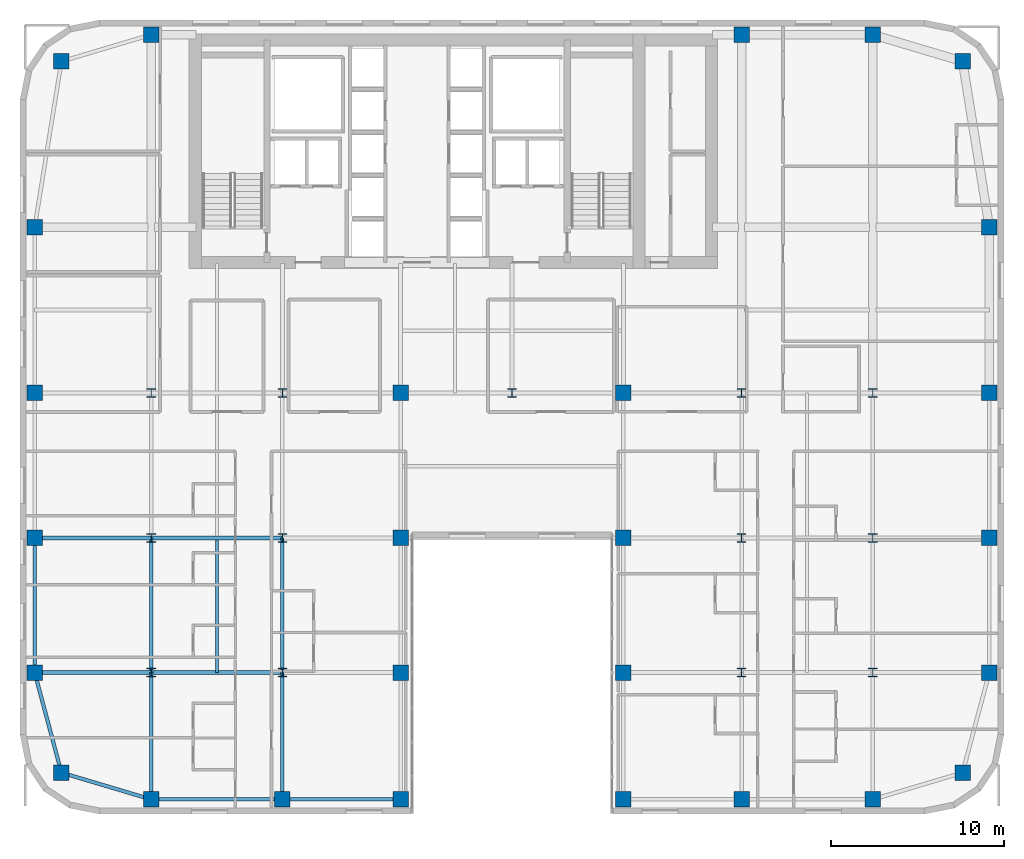
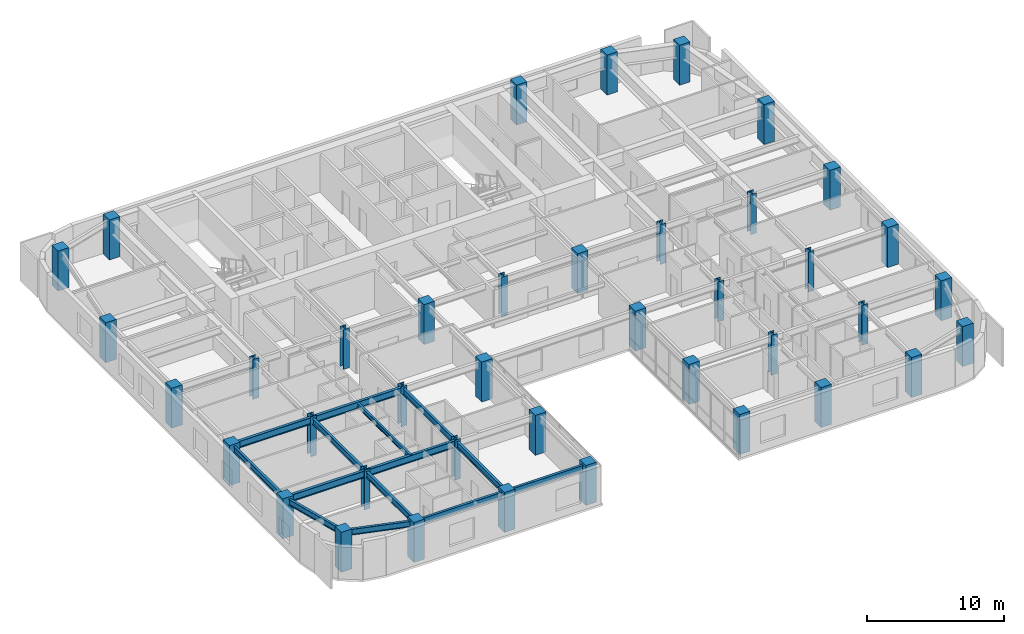
# One storey, part 1 of 17: 40 columns, 14 beams.
"""IFC4 building model written with IfcOpenShell, lengths in metres."""

from ifc_helpers import new_model, si_unit, direction, frame, origin, origin_2d, place, context, subcontext, project, spatial, rectangle, i_section, extrude, source, transform, mapped, material, material_profile, profile_set, type_object, type_shapes, element, save


model = new_model("IFC4")

# Units and contexts
model_context = context("Model", 3, precision=1e-05, world=origin(), true_north=direction((0.0, 1.0)))
body_context = subcontext(model_context, "Body", "Model", "MODEL_VIEW")
ifc_project = project(units=[si_unit("LENGTHUNIT", "METRE"), si_unit("AREAUNIT", "SQUARE_METRE"), si_unit("VOLUMEUNIT", "CUBIC_METRE"), si_unit("PLANEANGLEUNIT", "RADIAN"), si_unit("MASSUNIT", "GRAM", prefix="KILO")], contexts=[model_context])

# Site, building, storey
site_placement = place(None, origin())
site = spatial("IfcSite", under=ifc_project, at=site_placement, CompositionType="ELEMENT")
building_placement = place(site_placement, origin())
building = spatial("IfcBuilding", under=site, at=building_placement, Name="Tolvann Quenvar Hotel", CompositionType="ELEMENT")
storey_placement = place(building_placement, frame((0.0, 0.0, 108.0)))
storey = spatial("IfcBuildingStorey", under=building, at=storey_placement, Name="L27", CompositionType="ELEMENT", Elevation=108.0)

# Columns
ifc_material_1 = material(Name="Concrete S65 (65 MPa)", Category="concrete")
ifc_material_profile_1 = material_profile(ifc_material_1, rectangle(XDim=0.89990234375, YDim=0.89990234375, at=origin_2d()), Name="RC900x900")
ifc_profile_set_1 = profile_set([ifc_material_profile_1], Name="Concrete S65 (65 MPa)")
column_type_1 = type_object("IfcColumnType", Name="COL_RC900", PredefinedType="COLUMN", material=ifc_profile_set_1)
shared_shape_1 = source(origin(), body_context, "Body", "SweptSolid", [
    extrude(rectangle(XDim=0.89990234375, YDim=0.89990234375, at=origin_2d()), origin(), (0.0, 0.0, 1.0), 3.550048828125),
])
type_shapes(column_type_1, [shared_shape_1])
for number, where, z_axis, x_axis, name in (
    (1, (2.39990234375, 2.39990234375, 0.0), (0.0, 0.0, 1.0), (1.0, 0.0, 0.0), "Column B2 (L27)"),
    (2, (0.85009765625, 8.199951171875, 0.0), (0.0, 0.0, 1.0), (1.0, 0.0, 0.0), "Column B3 (L27)"),
    (3, (0.85009765625, 16.0, 0.0), (0.0, 0.0, 1.0), (1.0, 0.0, 0.0), "Column B4 (L27)"),
    (4, (0.85009765625, 24.39990234375, 0.0), (0.0, 0.0, 1.0), (1.0, 0.0, 0.0), "Column B5 (L27)"),
    (5, (7.60009765625, 0.85009765625, 0.0), (0.0, 0.0, 1.0), (1.0, 0.0, 0.0), "Column C2 (L27)"),
    (6, (15.199951171875, 0.85009765625, 0.0), (0.0, 0.0, 1.0), (1.0, 0.0, 0.0), "Column D2 (L27)"),
    (7, (22.050048828125, 0.85009765625, 0.0), (0.0, 0.0, 1.0), (1.0, 0.0, 0.0), "Column E2 (L27)"),
    (8, (22.050048828125, 8.199951171875, 0.0), (0.0, 0.0, 1.0), (1.0, 0.0, 0.0), "Column E3 (L27)"),
    (9, (22.050048828125, 16.0, 0.0), (0.0, 0.0, 1.0), (1.0, 0.0, 0.0), "Column E4 (L27)"),
    (10, (22.050048828125, 24.39990234375, 0.0), (0.0, 0.0, 1.0), (1.0, 0.0, 0.0), "Column E5 (L27)"),
    (11, (34.949951171875, 0.85009765625, 0.0), (0.0, 0.0, 1.0), (1.0, 0.0, 0.0), "Column F2 (L27)"),
    (12, (34.949951171875, 8.199951171875, 0.0), (0.0, 0.0, 1.0), (1.0, 0.0, 0.0), "Column F3 (L27)"),
    (13, (34.949951171875, 16.0, 0.0), (0.0, 0.0, 1.0), (1.0, 0.0, 0.0), "Column F4 (L27)"),
    (14, (34.949951171875, 24.39990234375, 0.0), (0.0, 0.0, 1.0), (1.0, 0.0, 0.0), "Column F5 (L27)"),
    (15, (41.800048828125, 0.85009765625, 0.0), (0.0, 0.0, 1.0), (1.0, 0.0, 0.0), "Column H2 (L27)"),
    (16, (49.39990234375, 0.85009765625, 0.0), (0.0, 0.0, 1.0), (1.0, 0.0, 0.0), "Column I2 (L27)"),
    (17, (54.60009765625, 2.39990234375, 0.0), (0.0, 0.0, 1.0), (1.0, 0.0, 0.0), "Column J2 (L27)"),
    (18, (56.14990234375, 8.199951171875, 0.0), (0.0, 0.0, 1.0), (1.0, 0.0, 0.0), "Column J3 (L27)"),
    (19, (56.14990234375, 16.0, 0.0), (0.0, 0.0, 1.0), (1.0, 0.0, 0.0), "Column J4 (L27)"),
    (20, (56.14990234375, 24.39990234375, 0.0), (0.0, 0.0, 1.0), (1.0, 0.0, 0.0), "Column J5 (L27)"),
    (21, (2.39990234375, 43.60009765625, 0.0), (0.0, 0.0, 1.0), (1.0, 0.0, 0.0), "Column BN (L27)"),
    (22, (7.60009765625, 45.14990234375, 0.0), (0.0, 0.0, 1.0), (1.0, 0.0, 0.0), "Column CN (L27)"),
    (23, (0.85009765625, 34.0, 0.0), (0.0, 0.0, 1.0), (1.0, 0.0, 0.0), "Column BD6 (L27)"),
    (24, (41.800048828125, 45.14990234375, 0.0), (0.0, 0.0, 1.0), (1.0, 0.0, 0.0), "Column HN (L27)"),
    (25, (49.39990234375, 45.14990234375, 0.0), (0.0, 0.0, 1.0), (1.0, 0.0, 0.0), "Column IN (L27)"),
    (26, (54.60009765625, 43.60009765625, 0.0), (0.0, 0.0, 1.0), (1.0, 0.0, 0.0), "Column JN (L27)"),
    (27, (56.14990234375, 34.0, 0.0), (0.0, 0.0, 1.0), (1.0, 0.0, 0.0), "Column JD6 (L27)"),
):
    element("IfcColumn", number, at=place(storey_placement, frame(where, z_axis=z_axis, x_axis=x_axis)), inside=storey, type_object=column_type_1, Name=name, PredefinedType="COLUMN", context=body_context, shape_type="MappedRepresentation", body=[
        mapped(shared_shape_1, transform((0.0, 0.0, 0.0), x_axis=(1.0, 0.0, 0.0), y_axis=(0.0, 1.0, 0.0), z_axis=(0.0, 0.0, 1.0), scale=1.0)),
    ])
ifc_material_2 = material(Name="Steel Grade 350", Category="steel")
ifc_material_profile_2 = material_profile(ifc_material_2, i_section(OverallWidth=0.5, OverallDepth=0.5, WebThickness=0.02197265625, FlangeThickness=0.033935546875, at=origin_2d()), Name="500WC340")
ifc_profile_set_2 = profile_set([ifc_material_profile_2], Name="Steel Grade 350")
column_type_2 = type_object("IfcColumnType", Name="COL_500WC340", PredefinedType="COLUMN", material=ifc_profile_set_2)
shared_shape_2 = source(origin(), body_context, "Body", "SweptSolid", [
    extrude(i_section(OverallWidth=0.5, OverallDepth=0.5, WebThickness=0.02197265625, FlangeThickness=0.033935546875, at=origin_2d()), origin(), (0.0, 0.0, 1.0), 3.550048828125),
])
type_shapes(column_type_2, [shared_shape_2])
for number, where, z_axis, x_axis, name in (
    (28, (7.60009765625, 8.199951171875, 0.0), (0.0, 0.0, 1.0), (1.0, 0.0, 0.0), "Column C3 (L27)"),
    (29, (7.60009765625, 16.0, 0.0), (0.0, 0.0, 1.0), (1.0, 0.0, 0.0), "Column C4 (L27)"),
    (30, (7.60009765625, 24.39990234375, 0.0), (0.0, 0.0, 1.0), (1.0, 0.0, 0.0), "Column C5 (L27)"),
    (31, (15.199951171875, 8.199951171875, 0.0), (0.0, 0.0, 1.0), (1.0, 0.0, 0.0), "Column D3 (L27)"),
    (32, (15.199951171875, 16.0, 0.0), (0.0, 0.0, 1.0), (1.0, 0.0, 0.0), "Column D4 (L27)"),
    (33, (15.199951171875, 24.39990234375, 0.0), (0.0, 0.0, 1.0), (1.0, 0.0, 0.0), "Column D5 (L27)"),
    (34, (41.800048828125, 8.199951171875, 0.0), (0.0, 0.0, 1.0), (1.0, 0.0, 0.0), "Column H3 (L27)"),
    (35, (41.800048828125, 16.0, 0.0), (0.0, 0.0, 1.0), (1.0, 0.0, 0.0), "Column H4 (L27)"),
    (36, (41.800048828125, 24.39990234375, 0.0), (0.0, 0.0, 1.0), (1.0, 0.0, 0.0), "Column H5 (L27)"),
    (37, (49.39990234375, 8.199951171875, 0.0), (0.0, 0.0, 1.0), (1.0, 0.0, 0.0), "Column I3 (L27)"),
    (38, (49.39990234375, 16.0, 0.0), (0.0, 0.0, 1.0), (1.0, 0.0, 0.0), "Column I4 (L27)"),
    (39, (49.39990234375, 24.39990234375, 0.0), (0.0, 0.0, 1.0), (1.0, 0.0, 0.0), "Column I5 (L27)"),
    (40, (28.5, 24.39990234375, 0.0), (0.0, 0.0, 1.0), (1.0, 0.0, 0.0), "Column M5 (L27)"),
):
    element("IfcColumn", number, at=place(storey_placement, frame(where, z_axis=z_axis, x_axis=x_axis)), inside=storey, type_object=column_type_2, Name=name, PredefinedType="COLUMN", context=body_context, shape_type="MappedRepresentation", body=[
        mapped(shared_shape_2, transform((0.0, 0.0, 0.0), x_axis=(1.0, 0.0, 0.0), y_axis=(0.0, 1.0, 0.0), z_axis=(0.0, 0.0, 1.0), scale=1.0)),
    ])

# Beams
ifc_material_profile_3 = material_profile(ifc_material_2, i_section(OverallWidth=0.208984375, OverallDepth=0.528076171875, WebThickness=0.009521484375, FlangeThickness=0.01318359375, FilletRadius=0.013916015625, at=origin_2d()), Name="530UB82")
ifc_profile_set_3 = profile_set([ifc_material_profile_3], Name="Steel Grade 350")
beam_type_1 = type_object("IfcBeamType", Name="BM_SPAND_530UB82", PredefinedType="SPANDREL", material=ifc_profile_set_3)
shared_shape_3 = source(origin(), body_context, "Body", "SweptSolid", [
    extrude(i_section(OverallWidth=0.208984375, OverallDepth=0.528076171875, WebThickness=0.009521484375, FlangeThickness=0.01318359375, FilletRadius=0.013916015625, at=origin_2d()), origin(), (0.0, 0.0, 1.0), 5.42626953125),
])
beam_1_placement = place(storey_placement, frame((2.39990234375, 2.39990234375, 3.10595703125), z_axis=(0.958344815522, -0.285613750654, 0.0), x_axis=(0.285613750654, 0.958344815522, 0.0)))
element("IfcBeam", 41, at=beam_1_placement, inside=storey, type_object=beam_type_1, Name="BM-L27-EW-2-B2-C2", PredefinedType="SPANDREL", context=body_context, shape_type="MappedRepresentation", body=[
    mapped(shared_shape_3, transform((0.0, 0.0, 0.0), x_axis=(1.0, 0.0, 0.0), y_axis=(0.0, 1.0, 0.0), z_axis=(0.0, 0.0, 1.0), scale=1.0)),
])
shared_shape_4 = source(origin(), body_context, "Body", "SweptSolid", [
    extrude(i_section(OverallWidth=0.208984375, OverallDepth=0.528076171875, WebThickness=0.009521484375, FlangeThickness=0.01318359375, FilletRadius=0.013916015625, at=origin_2d()), origin(), (0.0, 0.0, 1.0), 7.599853515625),
])
beam_2_placement = place(storey_placement, frame((7.60009765625, 0.85009765625, 3.10595703125), z_axis=(1.0, 0.0, 0.0), x_axis=(0.0, 1.0, 0.0)))
element("IfcBeam", 42, at=beam_2_placement, inside=storey, type_object=beam_type_1, Name="BM-L27-EW-2-C2-D2", PredefinedType="SPANDREL", context=body_context, shape_type="MappedRepresentation", body=[
    mapped(shared_shape_4, transform((0.0, 0.0, 0.0), x_axis=(1.0, 0.0, 0.0), y_axis=(0.0, 1.0, 0.0), z_axis=(0.0, 0.0, 1.0), scale=1.0)),
])
shared_shape_5 = source(origin(), body_context, "Body", "SweptSolid", [
    extrude(i_section(OverallWidth=0.208984375, OverallDepth=0.528076171875, WebThickness=0.009521484375, FlangeThickness=0.01318359375, FilletRadius=0.013916015625, at=origin_2d()), origin(), (0.0, 0.0, 1.0), 6.85009765625),
])
beam_3_placement = place(storey_placement, frame((15.199951171875, 0.85009765625, 3.10595703125), z_axis=(1.0, 0.0, 0.0), x_axis=(0.0, 1.0, 0.0)))
element("IfcBeam", 43, at=beam_3_placement, inside=storey, type_object=beam_type_1, Name="BM-L27-EW-2-D2-E2", PredefinedType="SPANDREL", context=body_context, shape_type="MappedRepresentation", body=[
    mapped(shared_shape_5, transform((0.0, 0.0, 0.0), x_axis=(1.0, 0.0, 0.0), y_axis=(0.0, 1.0, 0.0), z_axis=(0.0, 0.0, 1.0), scale=1.0)),
])
ifc_material_profile_4 = material_profile(ifc_material_2, i_section(OverallWidth=0.22900390625, OverallDepth=0.612060546875, WebThickness=0.011962890625, FlangeThickness=0.01953125, FilletRadius=0.013916015625, at=origin_2d()), Name="610UB125")
ifc_profile_set_4 = profile_set([ifc_material_profile_4], Name="Steel Grade 350")
beam_type_2 = type_object("IfcBeamType", Name="BM_GIRD_610UB125", PredefinedType="BEAM", material=ifc_profile_set_4)
shared_shape_6 = source(origin(), body_context, "Body", "SweptSolid", [
    extrude(i_section(OverallWidth=0.22900390625, OverallDepth=0.612060546875, WebThickness=0.011962890625, FlangeThickness=0.01953125, FilletRadius=0.013916015625, at=origin_2d()), origin(), (0.0, 0.0, 1.0), 6.75),
])
for number, where, z_axis, x_axis, name in (
    (44, (0.85009765625, 8.199951171875, 3.06396484375), (1.0, 0.0, 0.0), (0.0, 1.0, 0.0), "BM-L27-EW-3-B3-C3"),
    (45, (0.85009765625, 16.0, 3.06396484375), (1.0, 0.0, 0.0), (0.0, 1.0, 0.0), "BM-L27-EW-4-B4-C4"),
):
    element("IfcBeam", number, at=place(storey_placement, frame(where, z_axis=z_axis, x_axis=x_axis)), inside=storey, type_object=beam_type_2, Name=name, PredefinedType="BEAM", context=body_context, shape_type="MappedRepresentation", body=[
        mapped(shared_shape_6, transform((0.0, 0.0, 0.0), x_axis=(1.0, 0.0, 0.0), y_axis=(0.0, 1.0, 0.0), z_axis=(0.0, 0.0, 1.0), scale=1.0)),
    ])
shared_shape_7 = source(origin(), body_context, "Body", "SweptSolid", [
    extrude(i_section(OverallWidth=0.22900390625, OverallDepth=0.612060546875, WebThickness=0.011962890625, FlangeThickness=0.01953125, FilletRadius=0.013916015625, at=origin_2d()), origin(), (0.0, 0.0, 1.0), 7.599853515625),
])
type_shapes(beam_type_2, [shared_shape_6, shared_shape_7])
for number, where, z_axis, x_axis, name in (
    (46, (7.60009765625, 8.199951171875, 3.06396484375), (1.0, 0.0, 0.0), (0.0, 1.0, 0.0), "BM-L27-EW-3-C3-D3"),
    (47, (7.60009765625, 16.0, 3.06396484375), (1.0, 0.0, 0.0), (0.0, 1.0, 0.0), "BM-L27-EW-4-C4-D4"),
):
    element("IfcBeam", number, at=place(storey_placement, frame(where, z_axis=z_axis, x_axis=x_axis)), inside=storey, type_object=beam_type_2, Name=name, PredefinedType="BEAM", context=body_context, shape_type="MappedRepresentation", body=[
        mapped(shared_shape_7, transform((0.0, 0.0, 0.0), x_axis=(1.0, 0.0, 0.0), y_axis=(0.0, 1.0, 0.0), z_axis=(0.0, 0.0, 1.0), scale=1.0)),
    ])
shared_shape_8 = source(origin(), body_context, "Body", "SweptSolid", [
    extrude(i_section(OverallWidth=0.208984375, OverallDepth=0.528076171875, WebThickness=0.009521484375, FlangeThickness=0.01318359375, FilletRadius=0.013916015625, at=origin_2d()), origin(), (0.0, 0.0, 1.0), 6.00341796875),
])
beam_4_placement = place(storey_placement, frame((2.39990234375, 2.39990234375, 3.10595703125), z_axis=(-0.258148586649, 0.966105225745, 0.0), x_axis=(-0.966105225745, -0.258148586649, 0.0)))
element("IfcBeam", 48, at=beam_4_placement, inside=storey, type_object=beam_type_1, Name="BM-L27-NS-B2-B3", PredefinedType="SPANDREL", context=body_context, shape_type="MappedRepresentation", body=[
    mapped(shared_shape_8, transform((0.0, 0.0, 0.0), x_axis=(1.0, 0.0, 0.0), y_axis=(0.0, 1.0, 0.0), z_axis=(0.0, 0.0, 1.0), scale=1.0)),
])
shared_shape_9 = source(origin(), body_context, "Body", "SweptSolid", [
    extrude(i_section(OverallWidth=0.208984375, OverallDepth=0.528076171875, WebThickness=0.009521484375, FlangeThickness=0.01318359375, FilletRadius=0.013916015625, at=origin_2d()), origin(), (0.0, 0.0, 1.0), 7.800048828125),
])
type_shapes(beam_type_1, [shared_shape_3, shared_shape_4, shared_shape_5, shared_shape_8, shared_shape_9])
beam_5_placement = place(storey_placement, frame((0.85009765625, 8.199951171875, 3.10595703125), z_axis=(0.0, 1.0, 0.0), x_axis=(-1.0, 0.0, 0.0)))
element("IfcBeam", 49, at=beam_5_placement, inside=storey, type_object=beam_type_1, Name="BM-L27-NS-B3-B4", PredefinedType="SPANDREL", context=body_context, shape_type="MappedRepresentation", body=[
    mapped(shared_shape_9, transform((0.0, 0.0, 0.0), x_axis=(1.0, 0.0, 0.0), y_axis=(0.0, 1.0, 0.0), z_axis=(0.0, 0.0, 1.0), scale=1.0)),
])
ifc_material_profile_5 = material_profile(ifc_material_2, i_section(OverallWidth=0.208984375, OverallDepth=0.532958984375, WebThickness=0.01025390625, FlangeThickness=0.015625, FilletRadius=0.013916015625, at=origin_2d()), Name="530UB92")
ifc_profile_set_5 = profile_set([ifc_material_profile_5], Name="Steel Grade 350")
beam_type_3 = type_object("IfcBeamType", Name="BM_GIRD_530UB92", PredefinedType="BEAM", material=ifc_profile_set_5)
shared_shape_10 = source(origin(), body_context, "Body", "SweptSolid", [
    extrude(i_section(OverallWidth=0.208984375, OverallDepth=0.532958984375, WebThickness=0.01025390625, FlangeThickness=0.015625, FilletRadius=0.013916015625, at=origin_2d()), origin(), (0.0, 0.0, 1.0), 7.349853515625),
])
for number, where, z_axis, x_axis, name in (
    (50, (7.60009765625, 0.85009765625, 3.103515625), (0.0, 1.0, 0.0), (-1.0, 0.0, 0.0), "BM-L27-NS-C2-C3"),
    (51, (15.199951171875, 0.85009765625, 3.103515625), (0.0, 1.0, 0.0), (-1.0, 0.0, 0.0), "BM-L27-NS-D2-D3"),
):
    element("IfcBeam", number, at=place(storey_placement, frame(where, z_axis=z_axis, x_axis=x_axis)), inside=storey, type_object=beam_type_3, Name=name, PredefinedType="BEAM", context=body_context, shape_type="MappedRepresentation", body=[
        mapped(shared_shape_10, transform((0.0, 0.0, 0.0), x_axis=(1.0, 0.0, 0.0), y_axis=(0.0, 1.0, 0.0), z_axis=(0.0, 0.0, 1.0), scale=1.0)),
    ])
shared_shape_11 = source(origin(), body_context, "Body", "SweptSolid", [
    extrude(i_section(OverallWidth=0.208984375, OverallDepth=0.532958984375, WebThickness=0.01025390625, FlangeThickness=0.015625, FilletRadius=0.013916015625, at=origin_2d()), origin(), (0.0, 0.0, 1.0), 7.800048828125),
])
type_shapes(beam_type_3, [shared_shape_10, shared_shape_11])
for number, where, z_axis, x_axis, name in (
    (52, (7.60009765625, 8.199951171875, 3.103515625), (0.0, 1.0, 0.0), (-1.0, 0.0, 0.0), "BM-L27-NS-C3-C4"),
    (53, (15.199951171875, 8.199951171875, 3.103515625), (0.0, 1.0, 0.0), (-1.0, 0.0, 0.0), "BM-L27-NS-D3-D4"),
):
    element("IfcBeam", number, at=place(storey_placement, frame(where, z_axis=z_axis, x_axis=x_axis)), inside=storey, type_object=beam_type_3, Name=name, PredefinedType="BEAM", context=body_context, shape_type="MappedRepresentation", body=[
        mapped(shared_shape_11, transform((0.0, 0.0, 0.0), x_axis=(1.0, 0.0, 0.0), y_axis=(0.0, 1.0, 0.0), z_axis=(0.0, 0.0, 1.0), scale=1.0)),
    ])
ifc_material_profile_6 = material_profile(ifc_material_2, i_section(OverallWidth=0.177978515625, OverallDepth=0.406005859375, WebThickness=0.0078125, FlangeThickness=0.0126953125, FilletRadius=0.011474609375, at=origin_2d()), Name="410UB60")
ifc_profile_set_6 = profile_set([ifc_material_profile_6], Name="Steel Grade 350")
beam_type_4 = type_object("IfcBeamType", Name="BM_JOIST_410UB60", PredefinedType="JOIST", material=ifc_profile_set_6)
shared_shape_12 = source(origin(), body_context, "Body", "SweptSolid", [
    extrude(i_section(OverallWidth=0.177978515625, OverallDepth=0.406005859375, WebThickness=0.0078125, FlangeThickness=0.0126953125, FilletRadius=0.011474609375, at=origin_2d()), origin(), (0.0, 0.0, 1.0), 7.691650390625),
])
type_shapes(beam_type_4, [shared_shape_12])
beam_6_placement = place(storey_placement, frame((11.39990234375, 8.199951171875, 3.1669921875), z_axis=(0.0, 1.0, 0.0), x_axis=(-1.0, 0.0, 0.0)))
element("IfcBeam", 54, at=beam_6_placement, inside=storey, type_object=beam_type_4, Name="BJ-L27-114-82", PredefinedType="JOIST", context=body_context, shape_type="MappedRepresentation", body=[
    mapped(shared_shape_12, transform((0.0, 0.0, 0.0), x_axis=(1.0, 0.0, 0.0), y_axis=(0.0, 1.0, 0.0), z_axis=(0.0, 0.0, 1.0), scale=1.0)),
])

save(model, "model.ifc")
